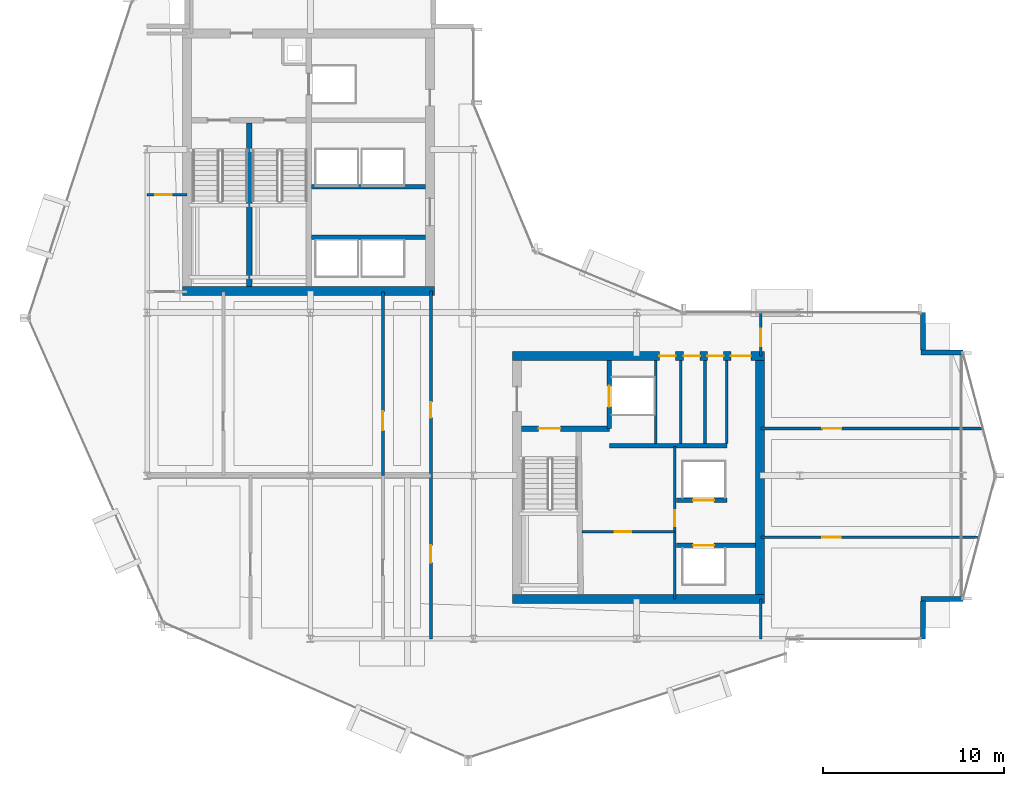
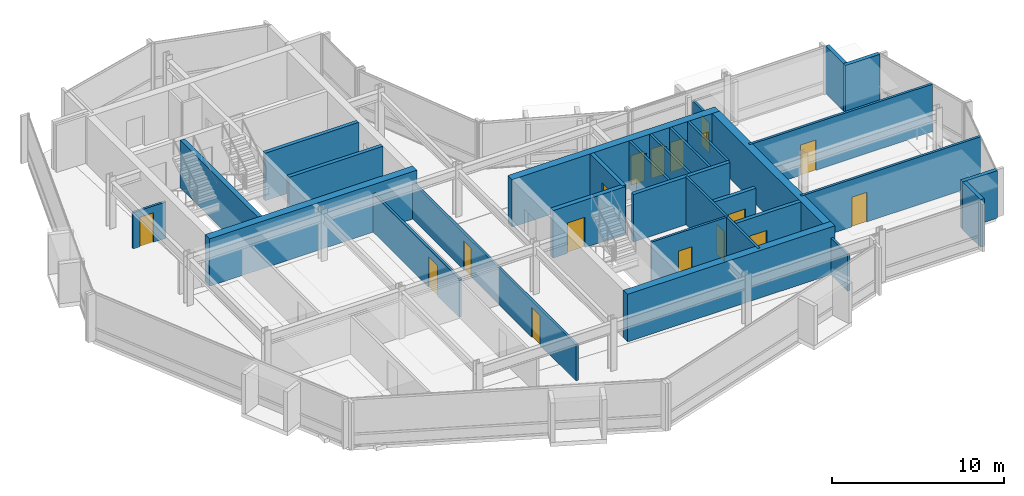
# One storey, part 20 of 27: 29 walls, 17 doors, 17 openings.
"""IFC4 building model written with IfcOpenShell, lengths in metres."""

from ifc_helpers import new_model, si_unit, direction, frame, frame_2d, origin, place, context, subcontext, project, spatial, rectangle, extrude, material, layer, layer_set, type_object, element, fill, save


model = new_model("IFC4")

# Units and contexts
model_context = context("Model", 3, precision=1e-05, world=origin(), true_north=direction((0.0, 1.0)))
body_context = subcontext(model_context, "Body", "Model", "MODEL_VIEW")
ifc_project = project(units=[si_unit("LENGTHUNIT", "METRE"), si_unit("AREAUNIT", "SQUARE_METRE"), si_unit("VOLUMEUNIT", "CUBIC_METRE"), si_unit("PLANEANGLEUNIT", "RADIAN"), si_unit("MASSUNIT", "GRAM", prefix="KILO")], contexts=[model_context])

# Site, building, storey
site_placement = place(None, origin())
site = spatial("IfcSite", under=ifc_project, at=site_placement, CompositionType="ELEMENT")
building_placement = place(site_placement, origin())
building = spatial("IfcBuilding", under=site, at=building_placement, Name="Solvaryn Broadcast Tower", CompositionType="ELEMENT")
storey_placement = place(building_placement, frame((0.0, 0.0, 192.699951171875)))
storey = spatial("IfcBuildingStorey", under=building, at=storey_placement, Name="L48", CompositionType="ELEMENT", Elevation=192.699951171875)

# Walls
ifc_material_1 = material(Name="Concrete f'c 70 MPa", Category="concrete")
ifc_layer_1 = layer(ifc_material_1, 0.5)
ifc_layer_set_1 = layer_set([ifc_layer_1], Name="CW-SHEAR-500")
wall_type_1 = type_object("IfcWallType", Name="CW-SHEAR-500", PredefinedType="SHEAR", material=ifc_layer_set_1)
for number, where, z_axis, x_axis, name in (
    (1, (10.949951171875, 28.199951171875, 0.0), (0.0, 0.0, 1.0), (1.0, 0.0, 0.0), "L48 West Core South Shear Wall"),
    (2, (29.14990234375, 11.199951171875, 0.0), (0.0, 0.0, 1.0), (1.0, 0.0, 0.0), "L48 East Core South Shear Wall"),
):
    element("IfcWall", number, at=place(storey_placement, frame(where, z_axis=z_axis, x_axis=x_axis)), inside=storey, type_object=wall_type_1, Name=name, PredefinedType="SHEAR", context=body_context, shape_type="SweptSolid", body=[
        extrude(rectangle(XDim=13.900146484375, YDim=0.5, at=frame_2d((6.9501953125, 0.0))), origin(), (0.0, 0.0, 1.0), 3.3701171875),
    ])

# Wall, openings, doors
wall_1_placement = place(storey_placement, frame((43.050048828125, 24.60009765625, 0.0), z_axis=(0.0, 0.0, 1.0), x_axis=(-1.0, 0.0, 0.0)))
wall_1 = element("IfcWall", 3, at=wall_1_placement, inside=storey, type_object=wall_type_1, Name="L48 East Core North Shear Wall", PredefinedType="SHEAR", context=body_context, shape_type="SweptSolid", body=[
    extrude(rectangle(XDim=13.900146484375, YDim=0.5, at=frame_2d((6.9501953125, 0.0))), origin(), (0.0, 0.0, 1.0), 3.3701171875),
])
opening_1_placement = place(wall_1_placement, frame((0.75, 0.0, 0.0)))
opening_1 = element("IfcOpeningElement", 4, at=opening_1_placement, cuts=wall_1, Name="Opening FD90C", PredefinedType="OPENING", context=body_context, shape_type="SweptSolid", body=[
    extrude(rectangle(XDim=1.10009765625, YDim=2.14990234375, at=frame_2d((0.550048828125, 1.074951171875))), frame((0.0, 0.260009765625, 0.0), z_axis=(0.0, -1.0, 0.0), x_axis=(1.0, 0.0, 0.0)), (0.0, 0.0, 1.0), 0.52001953125),
])
opening_2_placement = place(wall_1_placement, frame((2.25, 0.0, 0.0)))
opening_2 = element("IfcOpeningElement", 5, at=opening_2_placement, cuts=wall_1, Name="Opening FD60C", PredefinedType="OPENING", context=body_context, shape_type="SweptSolid", body=[
    extrude(rectangle(XDim=0.89990234375, YDim=2.10009765625, at=frame_2d((0.449951171875, 1.050048828125))), frame((0.0, 0.260009765625, 0.0), z_axis=(0.0, -1.0, 0.0), x_axis=(1.0, 0.0, 0.0)), (0.0, 0.0, 1.0), 0.52001953125),
])
opening_3_placement = place(wall_1_placement, frame((3.550048828125, 0.0, 0.0)))
opening_3 = element("IfcOpeningElement", 6, at=opening_3_placement, cuts=wall_1, Name="Opening FD60C", PredefinedType="OPENING", context=body_context, shape_type="SweptSolid", body=[
    extrude(rectangle(XDim=0.89990234375, YDim=2.10009765625, at=frame_2d((0.449951171875, 1.050048828125))), frame((0.0, 0.260009765625, 0.0), z_axis=(0.0, -1.0, 0.0), x_axis=(1.0, 0.0, 0.0)), (0.0, 0.0, 1.0), 0.52001953125),
])
opening_4_placement = place(wall_1_placement, frame((4.89990234375, 0.0, 0.0)))
opening_4 = element("IfcOpeningElement", 7, at=opening_4_placement, cuts=wall_1, Name="Opening FD60C", PredefinedType="OPENING", context=body_context, shape_type="SweptSolid", body=[
    extrude(rectangle(XDim=0.89990234375, YDim=2.10009765625, at=frame_2d((0.449951171875, 1.050048828125))), frame((0.0, 0.260009765625, 0.0), z_axis=(0.0, -1.0, 0.0), x_axis=(1.0, 0.0, 0.0)), (0.0, 0.0, 1.0), 0.52001953125),
])
ifc_material_2 = material(Name="Flush Acoustic Steel and Timber Door Assembly", Category="steel")
door_type_1 = type_object("IfcDoorType", Name="FD60-SERV-900X2100", OperationType="NOTDEFINED", PredefinedType="DOOR", material=ifc_material_2)
door_1_placement = place(opening_2_placement, origin())
door_1 = element("IfcDoor", 8, at=door_1_placement, inside=storey, type_object=door_type_1, Name="L48 Core Wellness Room Door", OperationType="SINGLE_SWING_RIGHT", OverallHeight=2.10009765625, OverallWidth=0.89990234375, PredefinedType="DOOR", context=body_context, shape_type="SweptSolid", body=[
    extrude(rectangle(XDim=0.89990234375, YDim=2.10009765625, at=frame_2d((0.449951171875, 1.050048828125))), frame((0.0, 0.02490234375, 0.0), z_axis=(0.0, -1.0, 0.0), x_axis=(1.0, 0.0, 0.0)), (0.0, 0.0, 1.0), 0.050048828125),
])
fill(opening_2, door_1)
door_2_placement = place(opening_3_placement, origin())
door_2 = element("IfcDoor", 9, at=door_2_placement, inside=storey, type_object=door_type_1, Name="L48 Staff Restroom Door", OperationType="SINGLE_SWING_LEFT", OverallHeight=2.10009765625, OverallWidth=0.89990234375, PredefinedType="DOOR", context=body_context, shape_type="SweptSolid", body=[
    extrude(rectangle(XDim=0.89990234375, YDim=2.10009765625, at=frame_2d((0.449951171875, 1.050048828125))), frame((0.0, 0.02490234375, 0.0), z_axis=(0.0, -1.0, 0.0), x_axis=(1.0, 0.0, 0.0)), (0.0, 0.0, 1.0), 0.050048828125),
])
fill(opening_3, door_2)
door_3_placement = place(opening_4_placement, origin())
door_3 = element("IfcDoor", 10, at=door_3_placement, inside=storey, type_object=door_type_1, Name="L48 Accessible WC Door", OperationType="SINGLE_SWING_RIGHT", OverallHeight=2.10009765625, OverallWidth=0.89990234375, PredefinedType="DOOR", context=body_context, shape_type="SweptSolid", body=[
    extrude(rectangle(XDim=0.89990234375, YDim=2.10009765625, at=frame_2d((0.449951171875, 1.050048828125))), frame((0.0, 0.02490234375, 0.0), z_axis=(0.0, -1.0, 0.0), x_axis=(1.0, 0.0, 0.0)), (0.0, 0.0, 1.0), 0.050048828125),
])
fill(opening_4, door_3)
ifc_material_3 = material(Name="Flush Acoustic Steel and Timber Door Assembly", Category="steel")
door_type_2 = type_object("IfcDoorType", Name="FD90-PLANT-1100X2150", OperationType="NOTDEFINED", PredefinedType="DOOR", material=ifc_material_3)
door_4_placement = place(opening_1_placement, origin())
door_4 = element("IfcDoor", 11, at=door_4_placement, inside=storey, type_object=door_type_2, Name="L48 East Core Lobby Corridor Door", OperationType="SINGLE_SWING_LEFT", OverallHeight=2.14990234375, OverallWidth=1.10009765625, PredefinedType="DOOR", context=body_context, shape_type="SweptSolid", body=[
    extrude(rectangle(XDim=1.10009765625, YDim=2.14990234375, at=frame_2d((0.550048828125, 1.074951171875))), frame((0.0, 0.02490234375, 0.0), z_axis=(0.0, -1.0, 0.0), x_axis=(1.0, 0.0, 0.0)), (0.0, 0.0, 1.0), 0.050048828125),
])
fill(opening_1, door_4)

# Walls
wall_2_placement = place(storey_placement, frame((42.800048828125, 11.449951171875, 0.0), z_axis=(0.0, 0.0, 1.0), x_axis=(0.0, 1.0, 0.0)))
element("IfcWall", 12, at=wall_2_placement, inside=storey, type_object=wall_type_1, Name="L48 East Core East Shear Wall", PredefinedType="SHEAR", context=body_context, shape_type="SweptSolid", body=[
    extrude(rectangle(XDim=12.900146484375, YDim=0.5, at=frame_2d((6.4501953125, 0.0))), origin(), (0.0, 0.0, 1.0), 3.3701171875),
])
ifc_material_4 = material(Name="Concrete f'c 50 MPa", Category="concrete")
ifc_layer_2 = layer(ifc_material_4, 0.260009765625)
ifc_layer_set_2 = layer_set([ifc_layer_2], Name="EW-PIER-260")
wall_type_2 = type_object("IfcWallType", Name="EW-PIER-260", PredefinedType="SOLIDWALL", material=ifc_layer_set_2)
wall_3_placement = place(storey_placement, frame((51.800048828125, 9.0, 0.0), z_axis=(0.0, 0.0, 1.0), x_axis=(0.0, 1.0, 0.0)))
element("IfcWall", 13, at=wall_3_placement, inside=storey, type_object=wall_type_2, Name="L48 Notched Corner Pier Wall NSE1", PredefinedType="SOLIDWALL", context=body_context, shape_type="SweptSolid", body=[
    extrude(rectangle(XDim=2.080078125, YDim=0.260009765625, at=frame_2d((1.0400390625, 0.0))), origin(), (0.0, 0.0, 1.0), 3.3701171875),
])
for number, where, z_axis, x_axis, name in (
    (14, (51.679931640625, 11.199951171875, 0.0), (0.0, 0.0, 1.0), (1.0, 0.0, 0.0), "L48 Notched Corner Pier Wall NSE2"),
    (15, (54.0, 24.800048828125, 0.0), (0.0, 0.0, 1.0), (-1.0, 0.0, 0.0), "L48 Notched Corner Pier Wall NEE1"),
):
    element("IfcWall", number, at=place(storey_placement, frame(where, z_axis=z_axis, x_axis=x_axis)), inside=storey, type_object=wall_type_2, Name=name, PredefinedType="SOLIDWALL", context=body_context, shape_type="SweptSolid", body=[
        extrude(rectangle(XDim=2.320068359375, YDim=0.260009765625, at=frame_2d((1.16015625, 0.0))), origin(), (0.0, 0.0, 1.0), 3.3701171875),
    ])
wall_4_placement = place(storey_placement, frame((51.800048828125, 24.919921875, 0.0), z_axis=(0.0, 0.0, 1.0), x_axis=(0.0, 1.0, 0.0)))
element("IfcWall", 16, at=wall_4_placement, inside=storey, type_object=wall_type_2, Name="L48 Notched Corner Pier Wall NEE2", PredefinedType="SOLIDWALL", context=body_context, shape_type="SweptSolid", body=[
    extrude(rectangle(XDim=2.080078125, YDim=0.260009765625, at=frame_2d((1.0400390625, 0.0))), origin(), (0.0, 0.0, 1.0), 3.3701171875),
])

# Wall, opening, door
ifc_material_5 = material(Name="Metal-Stud Service Core Partition")
ifc_layer_3 = layer(ifc_material_5, 0.14990234375)
ifc_layer_set_3 = layer_set([ifc_layer_3], Name="IW-PART-150")
wall_type_3 = type_object("IfcWallType", Name="IW-PART-150", PredefinedType="PARTITIONING", material=ifc_layer_set_3)
wall_5_placement = place(storey_placement, frame((33.0, 14.89990234375, 0.0), z_axis=(0.0, 0.0, 1.0), x_axis=(1.0, 0.0, 0.0)))
wall_5 = element("IfcWall", 17, at=wall_5_placement, inside=storey, type_object=wall_type_3, Name="L48 Interior Partition IW-L48-RPL-H", PredefinedType="PARTITIONING", context=body_context, shape_type="SweptSolid", body=[
    extrude(rectangle(XDim=5.10009765625, YDim=0.14990234375, at=frame_2d((2.550048828125, 0.0))), origin(), (0.0, 0.0, 1.0), 3.3701171875),
])
opening_5_placement = place(wall_5_placement, frame((1.800048828125, 0.0, 0.0)))
opening_5 = element("IfcOpeningElement", 18, at=opening_5_placement, cuts=wall_5, Name="Opening FD60C", PredefinedType="OPENING", context=body_context, shape_type="SweptSolid", body=[
    extrude(rectangle(XDim=0.89990234375, YDim=2.10009765625, at=frame_2d((0.449951171875, 1.050048828125))), frame((0.0, 0.0849609375, 0.0), z_axis=(0.0, -1.0, 0.0), x_axis=(1.0, 0.0, 0.0)), (0.0, 0.0, 1.0), 0.169921875),
])
door_5_placement = place(opening_5_placement, origin())
door_5 = element("IfcDoor", 19, at=door_5_placement, inside=storey, type_object=door_type_1, Name="L48 Door DR-L48-RPL1", OperationType="SINGLE_SWING_RIGHT", OverallHeight=2.10009765625, OverallWidth=0.89990234375, PredefinedType="DOOR", context=body_context, shape_type="SweptSolid", body=[
    extrude(rectangle(XDim=0.89990234375, YDim=2.10009765625, at=frame_2d((0.449951171875, 1.050048828125))), frame((0.0, 0.02490234375, 0.0), z_axis=(0.0, -1.0, 0.0), x_axis=(1.0, 0.0, 0.0)), (0.0, 0.0, 1.0), 0.050048828125),
])
fill(opening_5, door_5)

wall_6_placement = place(storey_placement, frame((38.10009765625, 11.199951171875, 0.0), z_axis=(0.0, 0.0, 1.0), x_axis=(0.0, 1.0, 0.0)))
wall_6 = element("IfcWall", 20, at=wall_6_placement, inside=storey, type_object=wall_type_3, Name="L48 Interior Partition IW-L48-RPL-E", PredefinedType="PARTITIONING", context=body_context, shape_type="SweptSolid", body=[
    extrude(rectangle(XDim=8.400146484375, YDim=0.14990234375, at=frame_2d((4.2001953125, 0.0))), origin(), (0.0, 0.0, 1.0), 3.3701171875),
])
opening_6_placement = place(wall_6_placement, frame((4.0, 0.0, 0.0)))
opening_6 = element("IfcOpeningElement", 21, at=opening_6_placement, cuts=wall_6, Name="Opening FD60C", PredefinedType="OPENING", context=body_context, shape_type="SweptSolid", body=[
    extrude(rectangle(XDim=0.89990234375, YDim=2.10009765625, at=frame_2d((0.449951171875, 1.050048828125))), frame((0.0, 0.0849609375, 0.0), z_axis=(0.0, -1.0, 0.0), x_axis=(1.0, 0.0, 0.0)), (0.0, 0.0, 1.0), 0.169921875),
])
door_6_placement = place(opening_6_placement, origin())
door_6 = element("IfcDoor", 22, at=door_6_placement, inside=storey, type_object=door_type_1, Name="L48 Door DR-L48-RPL2", OperationType="SINGLE_SWING_LEFT", OverallHeight=2.10009765625, OverallWidth=0.89990234375, PredefinedType="DOOR", context=body_context, shape_type="SweptSolid", body=[
    extrude(rectangle(XDim=0.89990234375, YDim=2.10009765625, at=frame_2d((0.449951171875, 1.050048828125))), frame((0.0, 0.02490234375, 0.0), z_axis=(0.0, -1.0, 0.0), x_axis=(1.0, 0.0, 0.0)), (0.0, 0.0, 1.0), 0.050048828125),
])
fill(opening_6, door_6)

# Walls
for number, where, z_axis, x_axis, name in (
    (23, (37.050048828125, 19.780029296875, 0.0), (0.0, 0.0, 1.0), (0.0, 1.0, 0.0), "L48 Interior Partition IW-L48-CE-FL2E"),
    (24, (38.43994140625, 19.780029296875, 0.0), (0.0, 0.0, 1.0), (0.0, 1.0, 0.0), "L48 Interior Partition IW-L48-CE-V1"),
    (25, (39.77001953125, 19.780029296875, 0.0), (0.0, 0.0, 1.0), (0.0, 1.0, 0.0), "L48 Interior Partition IW-L48-CE-V2"),
    (26, (40.97998046875, 19.780029296875, 0.0), (0.0, 0.0, 1.0), (0.0, 1.0, 0.0), "L48 Interior Partition IW-L48-CE-V3"),
):
    element("IfcWall", number, at=place(storey_placement, frame(where, z_axis=z_axis, x_axis=x_axis)), inside=storey, type_object=wall_type_3, Name=name, PredefinedType="PARTITIONING", context=body_context, shape_type="SweptSolid", body=[
        extrude(rectangle(XDim=4.570068359375, YDim=0.14990234375, at=frame_2d((2.28515625, 0.0))), origin(), (0.0, 0.0, 1.0), 3.3701171875),
    ])

# Wall, opening, door
wall_7_placement = place(storey_placement, frame((9.0, 33.5, 0.0), z_axis=(0.0, 0.0, 1.0), x_axis=(1.0, 0.0, 0.0)))
wall_7 = element("IfcWall", 27, at=wall_7_placement, inside=storey, type_object=wall_type_3, Name="L48 Interior Partition IW-L48-WM-M", PredefinedType="PARTITIONING", context=body_context, shape_type="SweptSolid", body=[
    extrude(rectangle(XDim=2.199951171875, YDim=0.14990234375, at=frame_2d((1.10009765625, 0.0))), origin(), (0.0, 0.0, 1.0), 2.583984375),
])
opening_7_placement = place(wall_7_placement, frame((0.449951171875, 0.0, 0.0)))
opening_7 = element("IfcOpeningElement", 28, at=opening_7_placement, cuts=wall_7, Name="Opening FD60C", PredefinedType="OPENING", context=body_context, shape_type="SweptSolid", body=[
    extrude(rectangle(XDim=0.89990234375, YDim=2.10009765625, at=frame_2d((0.449951171875, 1.050048828125))), frame((0.0, 0.0849609375, 0.0), z_axis=(0.0, -1.0, 0.0), x_axis=(1.0, 0.0, 0.0)), (0.0, 0.0, 1.0), 0.169921875),
])
door_7_placement = place(opening_7_placement, origin())
door_7 = element("IfcDoor", 29, at=door_7_placement, inside=storey, type_object=door_type_1, Name="L48 Door DR-L48-WM1", OperationType="SINGLE_SWING_RIGHT", OverallHeight=2.10009765625, OverallWidth=0.89990234375, PredefinedType="DOOR", context=body_context, shape_type="SweptSolid", body=[
    extrude(rectangle(XDim=0.89990234375, YDim=2.10009765625, at=frame_2d((0.449951171875, 1.050048828125))), frame((0.0, 0.02490234375, 0.0), z_axis=(0.0, -1.0, 0.0), x_axis=(1.0, 0.0, 0.0)), (0.0, 0.0, 1.0), 0.050048828125),
])
fill(opening_7, door_7)

# Wall, openings, doors
ifc_material_6 = material(Name="Metal-Stud Gypsum Office Partition")
ifc_layer_4 = layer(ifc_material_6, 0.159912109375)
ifc_layer_set_4 = layer_set([ifc_layer_4], Name="IW-PART-160")
wall_type_4 = type_object("IfcWallType", Name="IW-PART-160", PredefinedType="PARTITIONING", material=ifc_layer_set_4)
wall_8_placement = place(storey_placement, frame((24.64990234375, 9.0, 0.0), z_axis=(0.0, 0.0, 1.0), x_axis=(0.0, 1.0, 0.0)))
wall_8 = element("IfcWall", 30, at=wall_8_placement, inside=storey, type_object=wall_type_4, Name="L48 Interior Partition IW-L48-SW-EB", PredefinedType="PARTITIONING", context=body_context, shape_type="SweptSolid", body=[
    extrude(rectangle(XDim=19.199951171875, YDim=0.159912109375, at=frame_2d((9.60009765625, 0.0))), origin(), (0.0, 0.0, 1.0), 2.583984375),
])
opening_8_placement = place(wall_8_placement, frame((12.199951171875, 0.0, 0.0)))
opening_8 = element("IfcOpeningElement", 31, at=opening_8_placement, cuts=wall_8, Name="Opening ID07", PredefinedType="OPENING", context=body_context, shape_type="SweptSolid", body=[
    extrude(rectangle(XDim=0.860107421875, YDim=2.050048828125, at=frame_2d((0.43017578125, 1.02490234375))), frame((0.0, 0.090087890625, 0.0), z_axis=(0.0, -1.0, 0.0), x_axis=(1.0, 0.0, 0.0)), (0.0, 0.0, 1.0), 0.179931640625),
])
opening_9_placement = place(wall_8_placement, frame((4.199951171875, 0.0, 0.0)))
opening_9 = element("IfcOpeningElement", 32, at=opening_9_placement, cuts=wall_8, Name="Opening ID01", PredefinedType="OPENING", context=body_context, shape_type="SweptSolid", body=[
    extrude(rectangle(XDim=0.949951171875, YDim=2.10009765625, at=frame_2d((0.47509765625, 1.050048828125))), frame((0.0, 0.090087890625, 0.0), z_axis=(0.0, -1.0, 0.0), x_axis=(1.0, 0.0, 0.0)), (0.0, 0.0, 1.0), 0.179931640625),
])
ifc_material_7 = material(Name="Flush Acoustic Steel and Timber Door Assembly", Category="steel")
door_type_3 = type_object("IfcDoorType", Name="ID-01-950X2100", OperationType="NOTDEFINED", PredefinedType="DOOR", material=ifc_material_7)
door_8_placement = place(opening_9_placement, origin())
door_8 = element("IfcDoor", 33, at=door_8_placement, inside=storey, type_object=door_type_3, Name="L48 Door DR-L48-SW-ES", OperationType="SINGLE_SWING_RIGHT", OverallHeight=2.10009765625, OverallWidth=0.949951171875, PredefinedType="DOOR", context=body_context, shape_type="SweptSolid", body=[
    extrude(rectangle(XDim=0.949951171875, YDim=2.10009765625, at=frame_2d((0.47509765625, 1.050048828125))), frame((0.0, 0.02490234375, 0.0), z_axis=(0.0, -1.0, 0.0), x_axis=(1.0, 0.0, 0.0)), (0.0, 0.0, 1.0), 0.050048828125),
])
fill(opening_9, door_8)
ifc_material_8 = material(Name="Flush Acoustic Steel and Timber Door Assembly", Category="steel")
door_type_4 = type_object("IfcDoorType", Name="ID-07-860X2050", OperationType="NOTDEFINED", PredefinedType="DOOR", material=ifc_material_8)
door_9_placement = place(opening_8_placement, origin())
door_9 = element("IfcDoor", 34, at=door_9_placement, inside=storey, type_object=door_type_4, Name="L48 Door DR-L48-SW-EN", OperationType="SINGLE_SWING_LEFT", OverallHeight=2.050048828125, OverallWidth=0.860107421875, PredefinedType="DOOR", context=body_context, shape_type="SweptSolid", body=[
    extrude(rectangle(XDim=0.860107421875, YDim=2.050048828125, at=frame_2d((0.43017578125, 1.02490234375))), frame((0.0, 0.02490234375, 0.0), z_axis=(0.0, -1.0, 0.0), x_axis=(1.0, 0.0, 0.0)), (0.0, 0.0, 1.0), 0.050048828125),
])
fill(opening_8, door_9)

# Wall, opening, door
wall_9_placement = place(storey_placement, frame((22.0, 18.0, 0.0), z_axis=(0.0, 0.0, 1.0), x_axis=(0.0, 1.0, 0.0)))
wall_9 = element("IfcWall", 35, at=wall_9_placement, inside=storey, type_object=wall_type_4, Name="L48 Interior Partition IW-L48-SWN-V2", PredefinedType="PARTITIONING", context=body_context, shape_type="SweptSolid", body=[
    extrude(rectangle(XDim=10.1298828125, YDim=0.159912109375, at=frame_2d((5.06494140625, 0.0))), origin(), (0.0, 0.0, 1.0), 2.739013671875),
])
opening_10_placement = place(wall_9_placement, frame((2.5, 0.0, 0.0)))
opening_10 = element("IfcOpeningElement", 36, at=opening_10_placement, cuts=wall_9, Name="Opening ID03", PredefinedType="OPENING", context=body_context, shape_type="SweptSolid", body=[
    extrude(rectangle(XDim=1.050048828125, YDim=2.14990234375, at=frame_2d((0.52490234375, 1.074951171875))), frame((0.0, 0.090087890625, 0.0), z_axis=(0.0, -1.0, 0.0), x_axis=(1.0, 0.0, 0.0)), (0.0, 0.0, 1.0), 0.179931640625),
])
ifc_material_9 = material(Name="Flush Acoustic Steel and Timber Door Assembly", Category="steel")
door_type_5 = type_object("IfcDoorType", Name="ID-03-1050X2150", OperationType="NOTDEFINED", PredefinedType="DOOR", material=ifc_material_9)
door_10_placement = place(opening_10_placement, origin())
door_10 = element("IfcDoor", 37, at=door_10_placement, inside=storey, type_object=door_type_5, Name="L48 Door DR-L48-SWN-2", OperationType="SINGLE_SWING_RIGHT", OverallHeight=2.14990234375, OverallWidth=1.050048828125, PredefinedType="DOOR", context=body_context, shape_type="SweptSolid", body=[
    extrude(rectangle(XDim=1.050048828125, YDim=2.14990234375, at=frame_2d((0.52490234375, 1.074951171875))), frame((0.0, 0.02490234375, 0.0), z_axis=(0.0, -1.0, 0.0), x_axis=(1.0, 0.0, 0.0)), (0.0, 0.0, 1.0), 0.050048828125),
])
fill(opening_10, door_10)

# Wall
wall_10_placement = place(storey_placement, frame((42.85009765625, 9.0, 0.0), z_axis=(0.0, 0.0, 1.0), x_axis=(0.0, 1.0, 0.0)))
element("IfcWall", 38, at=wall_10_placement, inside=storey, type_object=wall_type_4, Name="L48 Interior Partition IW-L48-SC-E", PredefinedType="PARTITIONING", context=body_context, shape_type="SweptSolid", body=[
    extrude(rectangle(XDim=2.199951171875, YDim=0.159912109375, at=frame_2d((1.10009765625, 0.0))), origin(), (0.0, 0.0, 1.0), 2.583984375),
])

# Wall, opening, door
wall_11_placement = place(storey_placement, frame((42.85009765625, 24.60009765625, 0.0), z_axis=(0.0, 0.0, 1.0), x_axis=(0.0, 1.0, 0.0)))
wall_11 = element("IfcWall", 39, at=wall_11_placement, inside=storey, type_object=wall_type_4, Name="L48 Interior Partition IW-L48-EW-BN", PredefinedType="PARTITIONING", context=body_context, shape_type="SweptSolid", body=[
    extrude(rectangle(XDim=2.39990234375, YDim=0.159912109375, at=frame_2d((1.199951171875, 0.0))), origin(), (0.0, 0.0, 1.0), 2.583984375),
])
opening_11_placement = place(wall_11_placement, frame((0.550048828125, 0.0, 0.0)))
opening_11 = element("IfcOpeningElement", 40, at=opening_11_placement, cuts=wall_11, Name="Opening ID01", PredefinedType="OPENING", context=body_context, shape_type="SweptSolid", body=[
    extrude(rectangle(XDim=0.949951171875, YDim=2.10009765625, at=frame_2d((0.47509765625, 1.050048828125))), frame((0.0, 0.090087890625, 0.0), z_axis=(0.0, -1.0, 0.0), x_axis=(1.0, 0.0, 0.0)), (0.0, 0.0, 1.0), 0.179931640625),
])
door_11_placement = place(opening_11_placement, origin())
door_11 = element("IfcDoor", 41, at=door_11_placement, inside=storey, type_object=door_type_3, Name="L48 Door DR-L48-EW0", OperationType="SINGLE_SWING_LEFT", OverallHeight=2.10009765625, OverallWidth=0.949951171875, PredefinedType="DOOR", context=body_context, shape_type="SweptSolid", body=[
    extrude(rectangle(XDim=0.949951171875, YDim=2.10009765625, at=frame_2d((0.47509765625, 1.050048828125))), frame((0.0, 0.02490234375, 0.0), z_axis=(0.0, -1.0, 0.0), x_axis=(1.0, 0.0, 0.0)), (0.0, 0.0, 1.0), 0.050048828125),
])
fill(opening_11, door_11)

wall_12_placement = place(storey_placement, frame((42.85009765625, 14.60009765625, 0.0), z_axis=(0.0, 0.0, 1.0), x_axis=(1.0, 0.0, 0.0)))
wall_12 = element("IfcWall", 42, at=wall_12_placement, inside=storey, type_object=wall_type_4, Name="L48 Interior Partition IW-L48-EW-H1", PredefinedType="PARTITIONING", context=body_context, shape_type="SweptSolid", body=[
    extrude(rectangle(XDim=12.0498046875, YDim=0.159912109375, at=frame_2d((6.02490234375, 0.0))), origin(), (0.0, 0.0, 1.0), 3.3701171875),
])
opening_12_placement = place(wall_12_placement, frame((3.39990234375, 0.0, 0.0)))
opening_12 = element("IfcOpeningElement", 43, at=opening_12_placement, cuts=wall_12, Name="Opening ID02", PredefinedType="OPENING", context=body_context, shape_type="SweptSolid", body=[
    extrude(rectangle(XDim=1.0, YDim=2.10009765625, at=frame_2d((0.5, 1.050048828125))), frame((0.0, 0.090087890625, 0.0), z_axis=(0.0, -1.0, 0.0), x_axis=(1.0, 0.0, 0.0)), (0.0, 0.0, 1.0), 0.179931640625),
])
ifc_material_10 = material(Name="Flush Acoustic Steel and Timber Door Assembly", Category="steel")
door_type_6 = type_object("IfcDoorType", Name="ID-02-1000X2100", OperationType="NOTDEFINED", PredefinedType="DOOR", material=ifc_material_10)
door_12_placement = place(opening_12_placement, origin())
door_12 = element("IfcDoor", 44, at=door_12_placement, inside=storey, type_object=door_type_6, Name="L48 Door DR-L48-EW-1", OperationType="SINGLE_SWING_RIGHT", OverallHeight=2.10009765625, OverallWidth=1.0, PredefinedType="DOOR", context=body_context, shape_type="SweptSolid", body=[
    extrude(rectangle(XDim=1.0, YDim=2.10009765625, at=frame_2d((0.5, 1.050048828125))), frame((0.0, 0.02490234375, 0.0), z_axis=(0.0, -1.0, 0.0), x_axis=(1.0, 0.0, 0.0)), (0.0, 0.0, 1.0), 0.050048828125),
])
fill(opening_12, door_12)

wall_13_placement = place(storey_placement, frame((42.85009765625, 20.60009765625, 0.0), z_axis=(0.0, 0.0, 1.0), x_axis=(1.0, 0.0, 0.0)))
wall_13 = element("IfcWall", 45, at=wall_13_placement, inside=storey, type_object=wall_type_4, Name="L48 Interior Partition IW-L48-EW-H2", PredefinedType="PARTITIONING", context=body_context, shape_type="SweptSolid", body=[
    extrude(rectangle(XDim=12.261962890625, YDim=0.159912109375, at=frame_2d((6.130859375, 0.0))), origin(), (0.0, 0.0, 1.0), 3.3701171875),
])
opening_13_placement = place(wall_13_placement, frame((3.39990234375, 0.0, 0.0)))
opening_13 = element("IfcOpeningElement", 46, at=opening_13_placement, cuts=wall_13, Name="Opening ID03", PredefinedType="OPENING", context=body_context, shape_type="SweptSolid", body=[
    extrude(rectangle(XDim=1.050048828125, YDim=2.14990234375, at=frame_2d((0.52490234375, 1.074951171875))), frame((0.0, 0.090087890625, 0.0), z_axis=(0.0, -1.0, 0.0), x_axis=(1.0, 0.0, 0.0)), (0.0, 0.0, 1.0), 0.179931640625),
])
door_13_placement = place(opening_13_placement, origin())
door_13 = element("IfcDoor", 47, at=door_13_placement, inside=storey, type_object=door_type_5, Name="L48 Door DR-L48-EW-2", OperationType="SINGLE_SWING_LEFT", OverallHeight=2.14990234375, OverallWidth=1.050048828125, PredefinedType="DOOR", context=body_context, shape_type="SweptSolid", body=[
    extrude(rectangle(XDim=1.050048828125, YDim=2.14990234375, at=frame_2d((0.52490234375, 1.074951171875))), frame((0.0, 0.02490234375, 0.0), z_axis=(0.0, -1.0, 0.0), x_axis=(1.0, 0.0, 0.0)), (0.0, 0.0, 1.0), 0.050048828125),
])
fill(opening_13, door_13)

# Walls
ifc_material_11 = material(Name="Concrete f'c 60 MPa", Category="concrete")
ifc_layer_5 = layer(ifc_material_11, 0.25)
ifc_layer_set_5 = layer_set([ifc_layer_5], Name="SW-SHAFT-250")
wall_type_5 = type_object("IfcWallType", Name="SW-SHAFT-250", PredefinedType="PARTITIONING", material=ifc_layer_set_5)
for number, where, z_axis, x_axis, name in (
    (48, (18.070068359375, 31.14990234375, 0.0), (0.0, 0.0, 1.0), (1.0, 0.0, 0.0), "L48 High-Rise Lift Bank South Wall"),
    (49, (24.35009765625, 33.949951171875, 0.0), (0.0, 0.0, 1.0), (-1.0, 0.0, 0.0), "L48 High-Rise Lift Bank North Wall"),
):
    element("IfcWall", number, at=place(storey_placement, frame(where, z_axis=z_axis, x_axis=x_axis)), inside=storey, type_object=wall_type_5, Name=name, PredefinedType="PARTITIONING", context=body_context, shape_type="SweptSolid", body=[
        extrude(rectangle(XDim=6.280029296875, YDim=0.25, at=frame_2d((3.14013671875, 0.0))), origin(), (0.0, 0.0, 1.0), 3.3701171875),
    ])

# Wall, opening, door
wall_14_placement = place(storey_placement, frame((34.5, 20.60009765625, 0.0), z_axis=(0.0, 0.0, 1.0), x_axis=(0.0, 1.0, 0.0)))
wall_14 = element("IfcWall", 50, at=wall_14_placement, inside=storey, type_object=wall_type_5, Name="L48 East FSAE Lobby East Wall", PredefinedType="PARTITIONING", context=body_context, shape_type="SweptSolid", body=[
    extrude(rectangle(XDim=3.75, YDim=0.25, at=frame_2d((1.875, 0.0))), origin(), (0.0, 0.0, 1.0), 3.3701171875),
])
opening_14_placement = place(wall_14_placement, frame((1.199951171875, 0.0, 0.0)))
opening_14 = element("IfcOpeningElement", 51, at=opening_14_placement, cuts=wall_14, Name="Opening LD01", PredefinedType="OPENING", context=body_context, shape_type="SweptSolid", body=[
    extrude(rectangle(XDim=1.14990234375, YDim=2.14990234375, at=frame_2d((0.574951171875, 1.074951171875))), frame((0.0, 0.135009765625, 0.0), z_axis=(0.0, -1.0, 0.0), x_axis=(1.0, 0.0, 0.0)), (0.0, 0.0, 1.0), 0.27001953125),
])
ifc_material_12 = material(Name="Flush Acoustic Steel and Timber Door Assembly", Category="steel")
door_type_7 = type_object("IfcDoorType", Name="LD-LIFT-1150X2150", OperationType="NOTDEFINED", PredefinedType="DOOR", material=ifc_material_12)
door_14_placement = place(opening_14_placement, origin())
door_14 = element("IfcDoor", 52, at=door_14_placement, inside=storey, type_object=door_type_7, Name="L48 FL2 Lift Landing Door", OperationType="DOUBLE_DOOR_SLIDING", OverallHeight=2.14990234375, OverallWidth=1.14990234375, PredefinedType="DOOR", context=body_context, shape_type="SweptSolid", body=[
    extrude(rectangle(XDim=1.14990234375, YDim=2.14990234375, at=frame_2d((0.574951171875, 1.074951171875))), frame((0.0, 0.02490234375, 0.0), z_axis=(0.0, -1.0, 0.0), x_axis=(1.0, 0.0, 0.0)), (0.0, 0.0, 1.0), 0.050048828125),
])
fill(opening_14, door_14)

# Wall
wall_15_placement = place(storey_placement, frame((34.5, 19.64990234375, 0.0), z_axis=(0.0, 0.0, 1.0), x_axis=(1.0, 0.0, 0.0)))
element("IfcWall", 53, at=wall_15_placement, inside=storey, type_object=wall_type_5, Name="L48 East Core Restroom South Wall", PredefinedType="PARTITIONING", context=body_context, shape_type="SweptSolid", body=[
    extrude(rectangle(XDim=6.47998046875, YDim=0.25, at=frame_2d((3.239990234375, 0.0))), origin(), (0.0, 0.0, 1.0), 3.3701171875),
])

# Wall, opening, door
wall_16_placement = place(storey_placement, frame((38.199951171875, 14.14990234375, 0.0), z_axis=(0.0, 0.0, 1.0), x_axis=(1.0, 0.0, 0.0)))
wall_16 = element("IfcWall", 54, at=wall_16_placement, inside=storey, type_object=wall_type_5, Name="L48 East Lift Bank South Wall", PredefinedType="PARTITIONING", context=body_context, shape_type="SweptSolid", body=[
    extrude(rectangle(XDim=4.35009765625, YDim=0.25, at=frame_2d((2.175048828125, 0.0))), origin(), (0.0, 0.0, 1.0), 3.3701171875),
])
opening_15_placement = place(wall_16_placement, frame((0.925048828125, 0.0, 0.0)))
opening_15 = element("IfcOpeningElement", 55, at=opening_15_placement, cuts=wall_16, Name="Opening LD01", PredefinedType="OPENING", context=body_context, shape_type="SweptSolid", body=[
    extrude(rectangle(XDim=1.14990234375, YDim=2.14990234375, at=frame_2d((0.574951171875, 1.074951171875))), frame((0.0, 0.135009765625, 0.0), z_axis=(0.0, -1.0, 0.0), x_axis=(1.0, 0.0, 0.0)), (0.0, 0.0, 1.0), 0.27001953125),
])
door_15_placement = place(opening_15_placement, origin())
door_15 = element("IfcDoor", 56, at=door_15_placement, inside=storey, type_object=door_type_7, Name="L48 PM1 Lift Landing Door", OperationType="DOUBLE_DOOR_SLIDING", OverallHeight=2.14990234375, OverallWidth=1.14990234375, PredefinedType="DOOR", context=body_context, shape_type="SweptSolid", body=[
    extrude(rectangle(XDim=1.14990234375, YDim=2.14990234375, at=frame_2d((0.574951171875, 1.074951171875))), frame((0.0, 0.02490234375, 0.0), z_axis=(0.0, -1.0, 0.0), x_axis=(1.0, 0.0, 0.0)), (0.0, 0.0, 1.0), 0.050048828125),
])
fill(opening_15, door_15)

wall_17_placement = place(storey_placement, frame((40.97998046875, 16.64990234375, 0.0), z_axis=(0.0, 0.0, 1.0), x_axis=(-1.0, 0.0, 0.0)))
wall_17 = element("IfcWall", 57, at=wall_17_placement, inside=storey, type_object=wall_type_5, Name="L48 East Lift Bank North Wall", PredefinedType="PARTITIONING", context=body_context, shape_type="SweptSolid", body=[
    extrude(rectangle(XDim=2.780029296875, YDim=0.25, at=frame_2d((1.39013671875, 0.0))), origin(), (0.0, 0.0, 1.0), 3.3701171875),
])
opening_16_placement = place(wall_17_placement, frame((0.705078125, 0.0, 0.0)))
opening_16 = element("IfcOpeningElement", 58, at=opening_16_placement, cuts=wall_17, Name="Opening LD01", PredefinedType="OPENING", context=body_context, shape_type="SweptSolid", body=[
    extrude(rectangle(XDim=1.14990234375, YDim=2.14990234375, at=frame_2d((0.574951171875, 1.074951171875))), frame((0.0, 0.135009765625, 0.0), z_axis=(0.0, -1.0, 0.0), x_axis=(1.0, 0.0, 0.0)), (0.0, 0.0, 1.0), 0.27001953125),
])
door_16_placement = place(opening_16_placement, origin())
door_16 = element("IfcDoor", 59, at=door_16_placement, inside=storey, type_object=door_type_7, Name="L48 PM2 Lift Landing Door", OperationType="DOUBLE_DOOR_SLIDING", OverallHeight=2.14990234375, OverallWidth=1.14990234375, PredefinedType="DOOR", context=body_context, shape_type="SweptSolid", body=[
    extrude(rectangle(XDim=1.14990234375, YDim=2.14990234375, at=frame_2d((0.574951171875, 1.074951171875))), frame((0.0, 0.02490234375, 0.0), z_axis=(0.0, -1.0, 0.0), x_axis=(1.0, 0.0, 0.0)), (0.0, 0.0, 1.0), 0.050048828125),
])
fill(opening_16, door_16)

# Wall
ifc_material_13 = material(Name="Concrete f'c 70 MPa", Category="concrete")
ifc_layer_6 = layer(ifc_material_13, 0.300048828125)
ifc_layer_set_6 = layer_set([ifc_layer_6], Name="SW-SHAFT-300")
wall_type_6 = type_object("IfcWallType", Name="SW-SHAFT-300", PredefinedType="SHEAR", material=ifc_layer_set_6)
wall_18_placement = place(storey_placement, frame((14.6201171875, 28.449951171875, 0.0), z_axis=(0.0, 0.0, 1.0), x_axis=(0.0, 1.0, 0.0)))
element("IfcWall", 60, at=wall_18_placement, inside=storey, type_object=wall_type_6, Name="L48 Stair 1-2 Dividing Wall", PredefinedType="SHEAR", context=body_context, shape_type="SweptSolid", body=[
    extrude(rectangle(XDim=9.0, YDim=0.300048828125, at=frame_2d((4.5, 0.0))), origin(), (0.0, 0.0, 1.0), 3.3701171875),
])

# Wall, opening, door
wall_19_placement = place(storey_placement, frame((34.5, 20.60009765625, 0.0), z_axis=(0.0, 0.0, 1.0), x_axis=(-1.0, 0.0, 0.0)))
wall_19 = element("IfcWall", 61, at=wall_19_placement, inside=storey, type_object=wall_type_6, Name="L48 East FSAE Lobby South Wall", PredefinedType="SHEAR", context=body_context, shape_type="SweptSolid", body=[
    extrude(rectangle(XDim=4.85009765625, YDim=0.300048828125, at=frame_2d((2.425048828125, 0.0))), origin(), (0.0, 0.0, 1.0), 3.3701171875),
])
opening_17_placement = place(wall_19_placement, frame((2.699951171875, 0.0, 0.0)))
opening_17 = element("IfcOpeningElement", 62, at=opening_17_placement, cuts=wall_19, Name="Opening FD90A", PredefinedType="OPENING", context=body_context, shape_type="SweptSolid", body=[
    extrude(rectangle(XDim=1.199951171875, YDim=2.14990234375, at=frame_2d((0.60009765625, 1.074951171875))), frame((0.0, 0.159912109375, 0.0), z_axis=(0.0, -1.0, 0.0), x_axis=(1.0, 0.0, 0.0)), (0.0, 0.0, 1.0), 0.320068359375),
])
ifc_material_14 = material(Name="Flush Acoustic Steel and Timber Door Assembly", Category="steel")
door_type_8 = type_object("IfcDoorType", Name="FD90-STAIR-1200X2150", OperationType="NOTDEFINED", PredefinedType="DOOR", material=ifc_material_14)
door_17_placement = place(opening_17_placement, origin())
door_17 = element("IfcDoor", 63, at=door_17_placement, inside=storey, type_object=door_type_8, Name="L48 Stair 3 Fire Door", OperationType="SINGLE_SWING_LEFT", OverallHeight=2.14990234375, OverallWidth=1.199951171875, PredefinedType="DOOR", context=body_context, shape_type="SweptSolid", body=[
    extrude(rectangle(XDim=1.199951171875, YDim=2.14990234375, at=frame_2d((0.60009765625, 1.074951171875))), frame((0.0, 0.02490234375, 0.0), z_axis=(0.0, -1.0, 0.0), x_axis=(1.0, 0.0, 0.0)), (0.0, 0.0, 1.0), 0.050048828125),
])
fill(opening_17, door_17)

save(model, "model.ifc")
